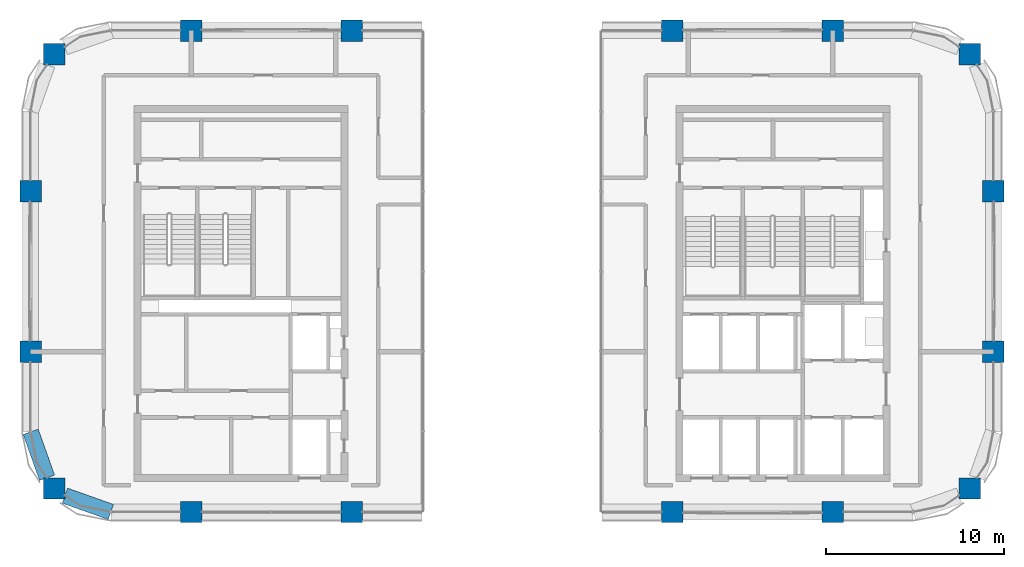
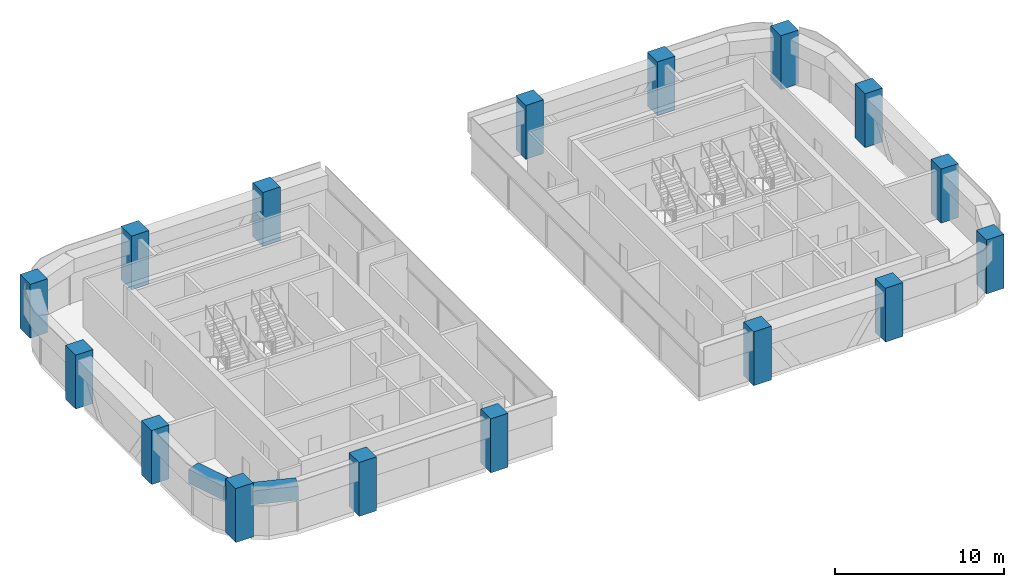
# One storey, part 1 of 11: 16 columns, 2 beams.
"""IFC4 building model written with IfcOpenShell, lengths in metres."""

import ifcopenshell
import ifcopenshell.guid

model = None  # the IFC model being written
_history = None  # IfcOwnerHistory: only IFC2X3 demands one
_inside = {}  # id of a spatial element -> (the spatial element, [elements in it])
_under = {}  # id of a project, library or spatial element -> (it, [spatial elements below it])
_declared = {}  # id of a project -> (the project, [libraries it declares])
_typed = {}  # id of a type object -> (the type object, [elements of that type])
_made_of = {}  # id of a material, layer set ... -> (it, [elements and type objects made of it])


def new_model(schema):
    """Start an empty IFC model of exactly this schema.

    Asked for "IFC4X3", IfcOpenShell would pick the latest addendum, in which some entities
    have other attributes; the version numbers below select the first issue.
    IFC2X3 requires an IfcOwnerHistory on every rooted entity: one is made here for all.
    """
    global model, _history
    if schema == "IFC4X3":
        model = ifcopenshell.file(schema_version=(4, 3, 0, 0))
    else:
        model = ifcopenshell.file(schema=schema)
    _inside.clear()
    _under.clear()
    _declared.clear()
    _typed.clear()
    _made_of.clear()
    _history = None
    if model.schema == "IFC2X3":
        org = make("IfcOrganization", Name="unknown")
        user = make(
            "IfcPersonAndOrganization",
            ThePerson=make("IfcPerson", FamilyName="unknown"),
            TheOrganization=org,
        )
        app = make(
            "IfcApplication",
            ApplicationDeveloper=org,
            Version="unknown",
            ApplicationFullName="unknown",
            ApplicationIdentifier="unknown",
        )
        _history = make(
            "IfcOwnerHistory",
            OwningUser=user,
            OwningApplication=app,
            ChangeAction="ADDED",
            CreationDate=0,
        )
    return model


def make(cls, **values):
    """One entity of the class cls with the attributes given. An attribute that is None is left unset."""
    return model.create_entity(
        cls, **{name: value for name, value in values.items() if value is not None}
    )


def rooted(cls, **values):
    """An entity with a GlobalId (a new one), such as an element, a storey or a relation."""
    return make(cls, GlobalId=ifcopenshell.guid.new(), OwnerHistory=_history, **values)


def si_unit(unit_type, name, prefix=None):
    """IfcSIUnit, for example si_unit("LENGTHUNIT", "METRE", prefix="MILLI")."""
    return make("IfcSIUnit", UnitType=unit_type, Prefix=prefix, Name=name)


def assignment(units):
    """IfcUnitAssignment: the units of a project."""
    return None if units is None else make("IfcUnitAssignment", Units=units)


def point(xyz):
    """IfcCartesianPoint."""
    return None if xyz is None else make("IfcCartesianPoint", Coordinates=xyz)


def direction(xyz):
    """IfcDirection."""
    return None if xyz is None else make("IfcDirection", DirectionRatios=xyz)


def frame(location, z_axis=None, x_axis=None):
    """IfcAxis2Placement3D, a coordinate frame: its origin and axes. An axis left out is left unset."""
    return make(
        "IfcAxis2Placement3D",
        Location=point(location),
        Axis=direction(z_axis),
        RefDirection=direction(x_axis),
    )


def frame_2d(location, x_axis=None):
    """IfcAxis2Placement2D, a coordinate frame in the plane: its origin and x axis."""
    return make(
        "IfcAxis2Placement2D", Location=point(location), RefDirection=direction(x_axis)
    )


def origin():
    """The frame at (0, 0, 0) with its axes left unset."""
    return frame((0.0, 0.0, 0.0))


def origin_2d():
    """The frame at (0, 0) in the plane with its x axis left unset."""
    return frame_2d((0.0, 0.0))


def place(relative_to, where):
    """IfcLocalPlacement: puts the frame where relative to a parent placement (None: the world)."""
    return make(
        "IfcLocalPlacement", PlacementRelTo=relative_to, RelativePlacement=where
    )


def context(
    kind, dimensions, precision=None, world=None, true_north=None, identifier=None
):
    """IfcGeometricRepresentationContext, for example the 3D "Model" context."""
    return make(
        "IfcGeometricRepresentationContext",
        ContextIdentifier=identifier,
        ContextType=kind,
        CoordinateSpaceDimension=dimensions,
        Precision=precision,
        WorldCoordinateSystem=world,
        TrueNorth=true_north,
    )


def subcontext(parent, identifier, kind, view, scale=None):
    """IfcGeometricRepresentationSubContext, for example "Body" below "Model"."""
    return make(
        "IfcGeometricRepresentationSubContext",
        ContextIdentifier=identifier,
        ContextType=kind,
        ParentContext=parent,
        TargetScale=scale,
        TargetView=view,
    )


def project(units=None, contexts=None):
    """IfcProject with its units and contexts."""
    return rooted(
        "IfcProject",
        Name="project",
        RepresentationContexts=contexts,
        UnitsInContext=assignment(units),
    )


def spatial(cls, under=None, at=None, **own):
    """A site, building, storey or space (cls), placed at a placement, below another one or the project."""
    s = rooted(cls, ObjectPlacement=at, **own)
    if under is not None:
        _under.setdefault(under.id(), (under, []))[1].append(s)
    return s


def profile(cls, at=None, kind="AREA", **sizes):
    """A parametric profile (cls). Its sizes go by their IFC names, for example OverallWidth=200.0."""
    return make(cls, ProfileType=kind, Position=at, **sizes)


def rectangle(**sizes):
    """IfcRectangleProfileDef."""
    return profile("IfcRectangleProfileDef", **sizes)


def extrude(swept, where, along, depth):
    """IfcExtrudedAreaSolid: the profile swept, set in the frame where, extruded along a direction by depth."""
    return make(
        "IfcExtrudedAreaSolid",
        SweptArea=swept,
        Position=where,
        ExtrudedDirection=direction(along),
        Depth=depth,
    )


def shape(context_of_items, identifier, shape_type, items):
    """IfcShapeRepresentation: the items that make up one representation, for example the "Body"."""
    return make(
        "IfcShapeRepresentation",
        ContextOfItems=context_of_items,
        RepresentationIdentifier=identifier,
        RepresentationType=shape_type,
        Items=items,
    )


def material(Name=None, Category=None):
    """IfcMaterial."""
    return make("IfcMaterial", Name=Name, Category=Category)


def material_profile(
    of_material, cross_section, Name=None, Category=None, Priority=None
):
    """IfcMaterialProfile: a cross section and its material."""
    return make(
        "IfcMaterialProfile",
        Name=Name,
        Material=of_material,
        Profile=cross_section,
        Priority=Priority,
        Category=Category,
    )


def profile_set(profiles, Name=None, composite=None):
    """IfcMaterialProfileSet."""
    return make(
        "IfcMaterialProfileSet",
        Name=Name,
        MaterialProfiles=profiles,
        CompositeProfile=composite,
    )


def made_of(thing, what):
    """Note that an element or type object is made of a material, layer set ...; save() writes the relation."""
    if what is not None:
        _made_of.setdefault(what.id(), (what, []))[1].append(thing)
    return thing


def type_object(cls, material=None, **own):
    """A type object (cls), such as IfcWallType, which elements share."""
    return made_of(rooted(cls, **own), material)


def element(
    cls,
    number,
    at=None,
    inside=None,
    cuts=None,
    type_object=None,
    material=None,
    context=None,
    identifier="Body",
    shape_type=None,
    held_by="IfcProductDefinitionShape",
    body=None,
    shapes=None,
    **own,
):
    """One element of the class cls, such as IfcWall. Its Tag is "e" and its number.

    at: its placement. inside: the storey or other place that contains it. cuts: it is an
    opening in that element (IfcRelVoidsElement). A single representation is given by context,
    identifier, shape_type and body (its items); several are given by shapes. held_by: the class
    of the entity that holds the representations. save() writes the other relations.
    """
    e = rooted(cls, Tag="e%d" % number, ObjectPlacement=at, **own)
    if body is not None:
        shapes = [shape(context, identifier, shape_type, body)]
    if shapes is not None:
        e.Representation = make(held_by, Representations=shapes)
    if inside is not None:
        _inside.setdefault(inside.id(), (inside, []))[1].append(e)
    if cuts is not None:
        rooted(
            "IfcRelVoidsElement", RelatingBuildingElement=cuts, RelatedOpeningElement=e
        )
    if type_object is not None:
        _typed.setdefault(type_object.id(), (type_object, []))[1].append(e)
    return made_of(e, material)


def aggregate(whole, parts):
    """IfcRelAggregates: a whole, such as a stair, and the parts it consists of."""
    return rooted("IfcRelAggregates", RelatingObject=whole, RelatedObjects=parts)


def save(model, path):
    """Write the relations noted so far, then the file.

    IfcRelAggregates (storeys below a building ...), IfcRelContainedInSpatialStructure (elements
    in a storey), IfcRelDefinesByType, IfcRelAssociatesMaterial and IfcRelDeclares: one each for
    every whole, place, type object, material and project.
    """
    for whole, parts in _under.values():
        aggregate(whole, parts)
    for where, things in _inside.values():
        rooted(
            "IfcRelContainedInSpatialStructure",
            RelatedElements=things,
            RelatingStructure=where,
        )
    for kind, things in _typed.values():
        rooted("IfcRelDefinesByType", RelatedObjects=things, RelatingType=kind)
    for what, things in _made_of.values():
        rooted("IfcRelAssociatesMaterial", RelatedObjects=things, RelatingMaterial=what)
    for by, libraries in _declared.values():
        rooted("IfcRelDeclares", RelatingContext=by, RelatedDefinitions=libraries)
    model.write(path)


model = new_model("IFC4")

# Units and contexts
model_context = context("Model", 3, precision=1e-05, world=origin(), true_north=direction((0.0, 1.0)))
body_context = subcontext(model_context, "Body", "Model", "MODEL_VIEW")
ifc_project = project(units=[si_unit("LENGTHUNIT", "METRE"), si_unit("AREAUNIT", "SQUARE_METRE"), si_unit("VOLUMEUNIT", "CUBIC_METRE"), si_unit("PLANEANGLEUNIT", "RADIAN"), si_unit("MASSUNIT", "GRAM", prefix="KILO")], contexts=[model_context])

# Site, building, storey
site_placement = place(None, origin())
site = spatial("IfcSite", under=ifc_project, at=site_placement, CompositionType="ELEMENT")
building_placement = place(site_placement, origin())
building = spatial("IfcBuilding", under=site, at=building_placement, Name="Tessera Arch", CompositionType="ELEMENT")
storey_placement = place(building_placement, frame((0.0, 0.0, 222.800048828125)))
storey = spatial("IfcBuildingStorey", under=building, at=storey_placement, Name="L53", CompositionType="ELEMENT", Elevation=222.800048828125)

# Columns
ifc_material_1 = material(Name="Concrete C60/75", Category="concrete")
ifc_material_profile_1 = material_profile(ifc_material_1, rectangle(XDim=1.199951171875, YDim=1.199951171875, at=origin_2d()), Name="RC column 1200 x 1200 Concrete C60/75")
ifc_profile_set_1 = profile_set([ifc_material_profile_1], Name="Concrete C60/75")
column_type = type_object("IfcColumnType", Name="RC column 1200 x 1200 Concrete C60/75", PredefinedType="COLUMN", material=ifc_profile_set_1)
for number, where, z_axis, x_axis, name in (
    (1, (1.318115234375, 28.318115234375, 0.0), (0.0, 0.0, 1.0), (1.0, 0.0, 0.0), "Column C1D L53"),
    (2, (0.0, 36.0, 0.0), (0.0, 0.0, 1.0), (1.0, 0.0, 0.0), "Column C1E L53"),
    (3, (0.0, 45.0, 0.0), (0.0, 0.0, 1.0), (1.0, 0.0, 0.0), "Column C1F L53"),
    (4, (1.318115234375, 52.681884765625, 0.0), (0.0, 0.0, 1.0), (1.0, 0.0, 0.0), "Column C1G L53"),
    (5, (9.0, 27.0, 0.0), (0.0, 0.0, 1.0), (1.0, 0.0, 0.0), "Column C2D L53"),
    (6, (9.0, 54.0, 0.0), (0.0, 0.0, 1.0), (1.0, 0.0, 0.0), "Column C2G L53"),
    (7, (18.0, 27.0, 0.0), (0.0, 0.0, 1.0), (1.0, 0.0, 0.0), "Column C3D L53"),
    (8, (18.0, 54.0, 0.0), (0.0, 0.0, 1.0), (1.0, 0.0, 0.0), "Column C3G L53"),
    (9, (36.0, 27.0, 0.0), (0.0, 0.0, 1.0), (1.0, 0.0, 0.0), "Column C5D L53"),
    (10, (36.0, 54.0, 0.0), (0.0, 0.0, 1.0), (1.0, 0.0, 0.0), "Column C5G L53"),
    (11, (45.0, 27.0, 0.0), (0.0, 0.0, 1.0), (1.0, 0.0, 0.0), "Column C6D L53"),
    (12, (45.0, 54.0, 0.0), (0.0, 0.0, 1.0), (1.0, 0.0, 0.0), "Column C6G L53"),
    (13, (52.681884765625, 28.318115234375, 0.0), (0.0, 0.0, 1.0), (1.0, 0.0, 0.0), "Column C7D L53"),
    (14, (54.0, 36.0, 0.0), (0.0, 0.0, 1.0), (1.0, 0.0, 0.0), "Column C7E L53"),
    (15, (54.0, 45.0, 0.0), (0.0, 0.0, 1.0), (1.0, 0.0, 0.0), "Column C7F L53"),
    (16, (52.681884765625, 52.681884765625, 0.0), (0.0, 0.0, 1.0), (1.0, 0.0, 0.0), "Column C7G L53"),
):
    element("IfcColumn", number, at=place(storey_placement, frame(where, z_axis=z_axis, x_axis=x_axis)), inside=storey, type_object=column_type, Name=name, PredefinedType="COLUMN", context=body_context, shape_type="SweptSolid", body=[
        extrude(rectangle(XDim=1.199951171875, YDim=1.199951171875, at=origin_2d()), origin(), (0.0, 0.0, 1.0), 3.89990234375),
    ])

# Beams
ifc_material_2 = material(Name="Concrete C60/75", Category="concrete")
ifc_material_profile_2 = material_profile(ifc_material_2, rectangle(XDim=0.89990234375, YDim=1.0, at=origin_2d()), Name="RC spandrel beam 900 x 1000 Concrete C60/75")
ifc_profile_set_2 = profile_set([ifc_material_profile_2], Name="Concrete C60/75")
beam_type = type_object("IfcBeamType", Name="RC spandrel beam 900 x 1000 Concrete C60/75", PredefinedType="BEAM", material=ifc_profile_set_2)
for number, where, z_axis, x_axis, name in (
    (17, (0.0, 31.5, 3.0), (0.334665114373, -0.942337127159, 0.0), (0.942337127159, 0.334665114373, 0.0), "Spandrel beam L53 W0.27/2.2"),
    (18, (1.91796875, 27.9169921875, 3.0), (0.942337127159, -0.334665114373, 0.0), (0.334665114373, 0.942337127159, 0.0), "Spandrel beam L53 S27.0/2.1"),
):
    element("IfcBeam", number, at=place(storey_placement, frame(where, z_axis=z_axis, x_axis=x_axis)), inside=storey, type_object=beam_type, Name=name, PredefinedType="BEAM", context=body_context, shape_type="SweptSolid", body=[
        extrude(rectangle(XDim=0.89990234375, YDim=1.0, at=origin_2d()), origin(), (0.0, 0.0, 1.0), 2.739990234375),
    ])

save(model, "model.ifc")
